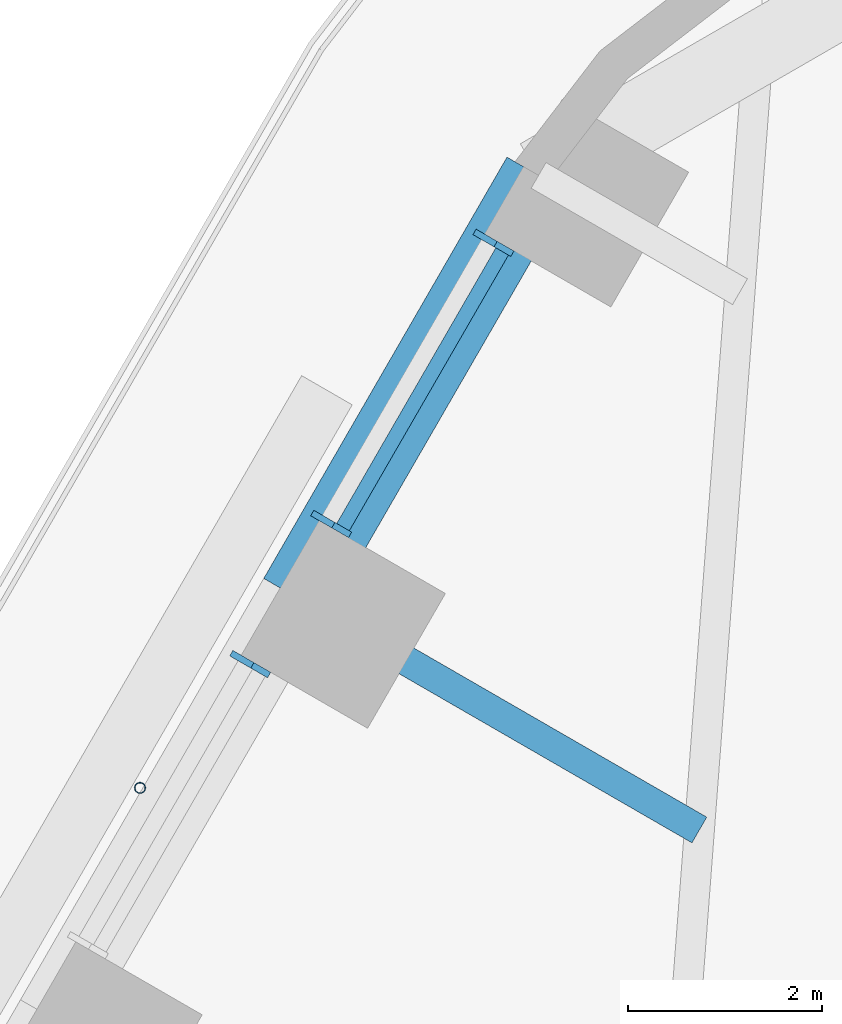
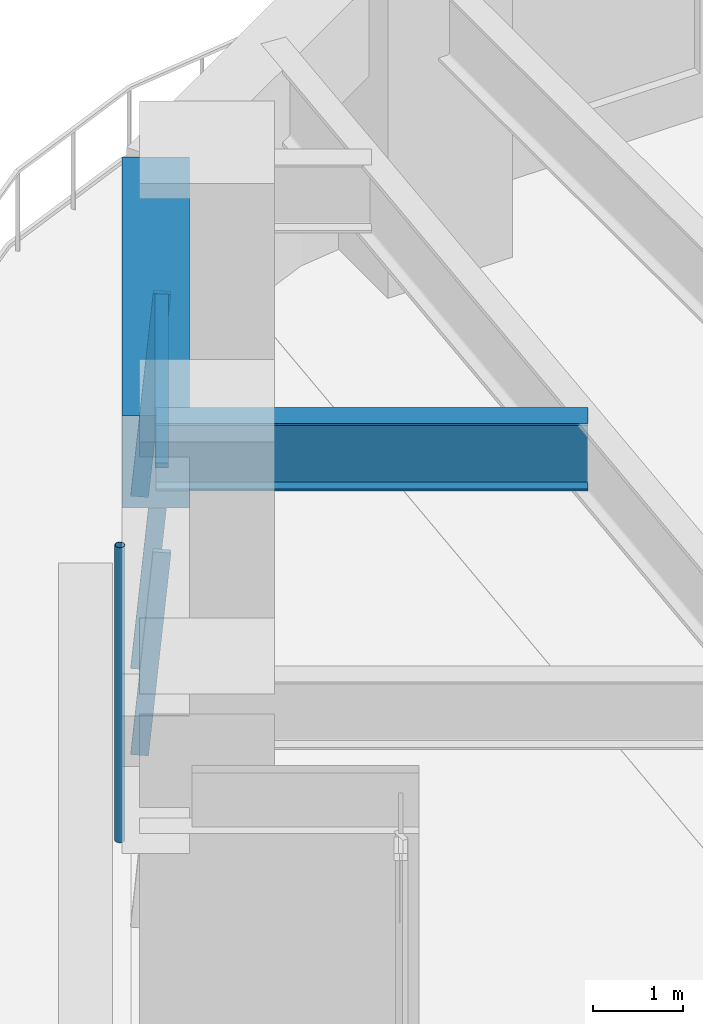
# One storey, part 9 of 24: 5 members, 2 beams, 2 elements without a shape of their own.
"""IFC4 building model written with IfcOpenShell, lengths in metres."""

from ifc_helpers import new_model, si_unit, direction, frame, origin, origin_2d, place, context, subcontext, project, spatial, rectangle, hollow_circle, i_section, extrude, material, material_profile, profile_set, type_object, element, aggregate, save


model = new_model("IFC4")

# Units and contexts
model_context = context("Model", 3, precision=1e-05, world=origin(), true_north=direction((0.0, 1.0)))
body_context = subcontext(model_context, "Body", "Model", "MODEL_VIEW")
ifc_project = project(units=[si_unit("LENGTHUNIT", "METRE"), si_unit("AREAUNIT", "SQUARE_METRE"), si_unit("VOLUMEUNIT", "CUBIC_METRE"), si_unit("PLANEANGLEUNIT", "RADIAN"), si_unit("MASSUNIT", "GRAM", prefix="KILO")], contexts=[model_context])

# Site, building, storey
site_placement = place(None, origin())
site = spatial("IfcSite", under=ifc_project, at=site_placement, CompositionType="ELEMENT")
building_placement = place(site_placement, origin())
building = spatial("IfcBuilding", under=site, at=building_placement, Name="Tarfa Lantern Tower", CompositionType="ELEMENT")
storey_placement = place(building_placement, frame((0.0, 0.0, 148.89990234375)))
storey = spatial("IfcBuildingStorey", under=building, at=storey_placement, Name="L33", CompositionType="ELEMENT", Elevation=148.89990234375)

# Curtain wall, members
ifc_material_1 = material(Name="Aluminium framed curtain wall", Category="aluminium")
curtain_wall_type = type_object("IfcCurtainWallType", Name="CW2 CANTED GLAZING MID ZONE 2750", PredefinedType="USERDEFINED", material=ifc_material_1)
curtain_wall_1_placement = place(storey_placement, origin())
curtain_wall_1 = element("IfcCurtainWall", 1, at=curtain_wall_1_placement, inside=storey, type_object=curtain_wall_type, Name="CW2 NW L33", ObjectType="CURTAIN WALL", PredefinedType="USERDEFINED")
ifc_material_2 = material(Name="Aluminium mullion", Category="aluminium")
ifc_material_profile_1 = material_profile(ifc_material_2, rectangle(XDim=0.06494140625, YDim=0.199951171875, at=origin_2d()), Name="AL MULLION 65x200")
ifc_profile_set_1 = profile_set([ifc_material_profile_1], Name="Aluminium mullion")
member_type_1 = type_object("IfcMemberType", Name="CWM1 MULLION 65x200", PredefinedType="MULLION", material=ifc_profile_set_1)
member_1_placement = place(storey_placement, frame((-20.10400390625, 27.97900390625, 0.0), z_axis=(0.078422950161, -0.045267813396, 0.995891894715), x_axis=(0.499919672301, 0.866071776036, 0.0)))
member_1 = element("IfcMember", 2, at=member_1_placement, type_object=member_type_1, Name="CW2 mullion 1", PredefinedType="MULLION", context=body_context, shape_type="SweptSolid", body=[
    extrude(rectangle(XDim=0.06494140625, YDim=0.199951171875, at=origin_2d()), origin(), (0.0, 0.0, 1.0), 2.76123046875),
])
member_2_placement = place(storey_placement, frame((-21.773193359375, 25.087646484375, 0.0), z_axis=(0.078422950161, -0.045267813396, 0.995891894715), x_axis=(0.499919672301, 0.866071776036, 0.0)))
member_2 = element("IfcMember", 3, at=member_2_placement, type_object=member_type_1, Name="CW2 mullion 2", PredefinedType="MULLION", context=body_context, shape_type="SweptSolid", body=[
    extrude(rectangle(XDim=0.06494140625, YDim=0.199951171875, at=origin_2d()), origin(), (0.0, 0.0, 1.0), 2.76123046875),
])

# Curtain wall, member
curtain_wall_2_placement = place(storey_placement, origin())
curtain_wall_2 = element("IfcCurtainWall", 4, at=curtain_wall_2_placement, inside=storey, type_object=curtain_wall_type, Name="CW2 NW L33", ObjectType="CURTAIN WALL", PredefinedType="USERDEFINED")
member_3_placement = place(storey_placement, frame((-22.605712890625, 23.645751953125, 0.0), z_axis=(0.078422950161, -0.045267813396, 0.995891894715), x_axis=(0.499919672301, 0.866071776036, 0.0)))
member_3 = element("IfcMember", 5, at=member_3_placement, type_object=member_type_1, Name="CW2 mullion 1", PredefinedType="MULLION", context=body_context, shape_type="SweptSolid", body=[
    extrude(rectangle(XDim=0.06494140625, YDim=0.199951171875, at=origin_2d()), origin(), (0.0, 0.0, 1.0), 2.76123046875),
])
aggregate(curtain_wall_2, [member_3])

# Member
ifc_material_3 = material(Name="Aluminium transom", Category="aluminium")
ifc_material_profile_2 = material_profile(ifc_material_3, rectangle(XDim=0.14990234375, YDim=0.06494140625, at=origin_2d()), Name="AL TRANSOM 150x65")
ifc_profile_set_2 = profile_set([ifc_material_profile_2], Name="Aluminium transom")
member_type_2 = type_object("IfcMemberType", Name="CWT1 TRANSOM 150x65", PredefinedType="USERDEFINED", material=ifc_profile_set_2)
member_4_placement = place(storey_placement, frame((-19.90625, 27.827392578125, 2.717529296875), z_axis=(-0.499957005835, -0.866050225054, 0.0), x_axis=(0.866050225054, -0.499957005835, 0.0)))
member_4 = element("IfcMember", 6, at=member_4_placement, type_object=member_type_2, Name="CW2 transom 1.2", ObjectType="TRANSOM", PredefinedType="USERDEFINED", context=body_context, shape_type="SweptSolid", body=[
    extrude(rectangle(XDim=0.14990234375, YDim=0.06494140625, at=origin_2d()), origin(), (0.0, 0.0, 1.0), 3.273681640625),
])

aggregate(curtain_wall_1, [member_1, member_2, member_4])

# Beam
ifc_material_4 = material(Name="Concrete C80/95", Category="concrete")
ifc_material_profile_3 = material_profile(ifc_material_4, rectangle(XDim=0.75, YDim=1.25, at=origin_2d()), Name="RC 750x1250")
ifc_profile_set_3 = profile_set([ifc_material_profile_3], Name="Concrete C80/95")
beam_type_1 = type_object("IfcBeamType", Name="EB2 RC 750x1250", PredefinedType="SPANDREL", material=ifc_profile_set_3)
beam_1_placement = place(storey_placement, frame((-19.53173828125, 28.610107421875, 3.375), z_axis=(-0.500001197378, -0.866024712477, 0.0), x_axis=(0.866024712477, -0.500001197378, 0.0)))
element("IfcBeam", 7, at=beam_1_placement, inside=storey, type_object=beam_type_1, Name="Edge beam NW0", PredefinedType="SPANDREL", context=body_context, shape_type="SweptSolid", body=[
    extrude(rectangle(XDim=0.75, YDim=1.25, at=origin_2d()), origin(), (0.0, 0.0, 1.0), 5.00390625),
])

# Member
ifc_material_5 = material(Name="Steel S355", Category="steel")
ifc_material_profile_4 = material_profile(ifc_material_5, hollow_circle(Radius=0.05712890625, WallThickness=0.00634765625, at=origin_2d()), Name="CHS114.3x6.3")
ifc_profile_set_4 = profile_set([ifc_material_profile_4], Name="Steel S355")
member_type_3 = type_object("IfcMemberType", Name="TR1 GREEN WALL TRELLIS CHS114.3x6.3", PredefinedType="USERDEFINED", material=ifc_profile_set_4)
member_5_placement = place(storey_placement, frame((-23.630859375, 22.31005859375, 0.0), z_axis=(0.0, 0.0, 1.0), x_axis=(1.0, 0.0, 0.0)))
element("IfcMember", 8, at=member_5_placement, inside=storey, type_object=member_type_3, Name="Trellis post NW 1", ObjectType="TRELLIS", PredefinedType="USERDEFINED", context=body_context, shape_type="SweptSolid", body=[
    extrude(hollow_circle(Radius=0.05712890625, WallThickness=0.00634765625, at=origin_2d()), origin(), (0.0, 0.0, 1.0), 4.0),
])

# Beam
ifc_material_6 = material(Name="Steel S460M", Category="steel")
ifc_material_profile_5 = material_profile(ifc_material_6, i_section(OverallWidth=0.305419921875, OverallDepth=0.91845703125, WebThickness=0.017333984375, FlangeThickness=0.02783203125, FilletRadius=0.01904296875, at=origin_2d()), Name="UB914x305x253")
ifc_profile_set_5 = profile_set([ifc_material_profile_5], Name="Steel S460M")
beam_type_2 = type_object("IfcBeamType", Name="UB914x305x253", PredefinedType="BEAM", material=ifc_profile_set_5)
beam_2_placement = place(storey_placement, frame((-22.03369140625, 24.276611328125, 3.541015625), z_axis=(0.866030550462, -0.499991085587, 0.0), x_axis=(0.499991085587, 0.866030550462, 0.0)))
element("IfcBeam", 9, at=beam_2_placement, inside=storey, type_object=beam_type_2, Name="Floor beam NW1", PredefinedType="BEAM", context=body_context, shape_type="SweptSolid", body=[
    extrude(i_section(OverallWidth=0.305419921875, OverallDepth=0.91845703125, WebThickness=0.017333984375, FlangeThickness=0.02783203125, FilletRadius=0.01904296875, at=origin_2d()), origin(), (0.0, 0.0, 1.0), 4.798828125),
])

save(model, "model.ifc")
